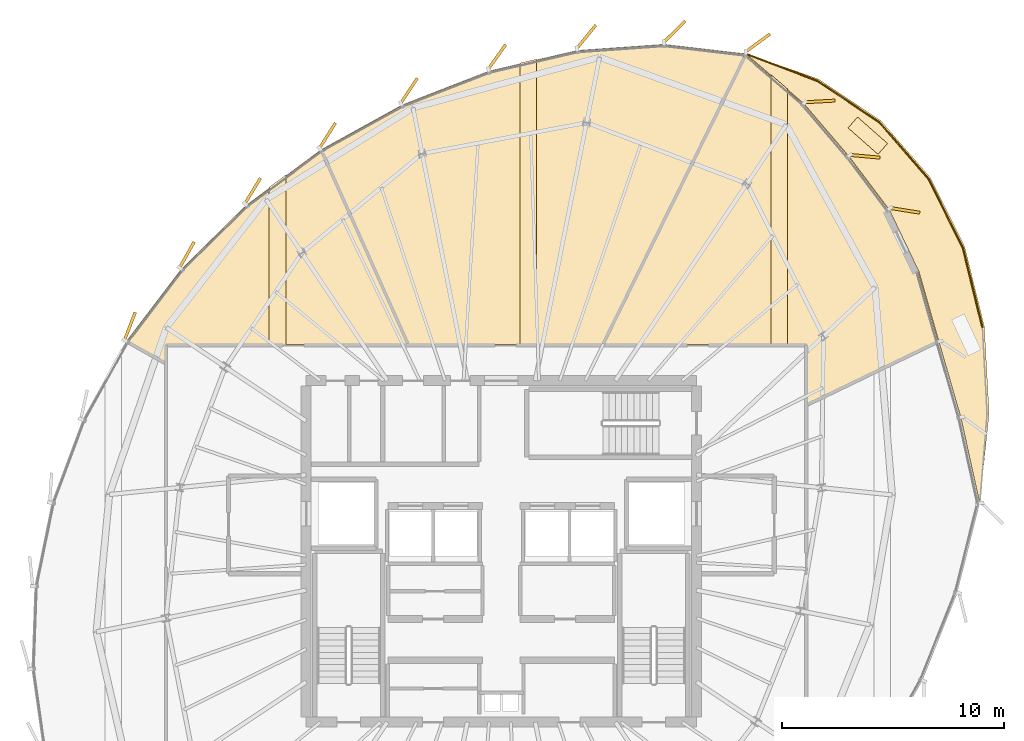
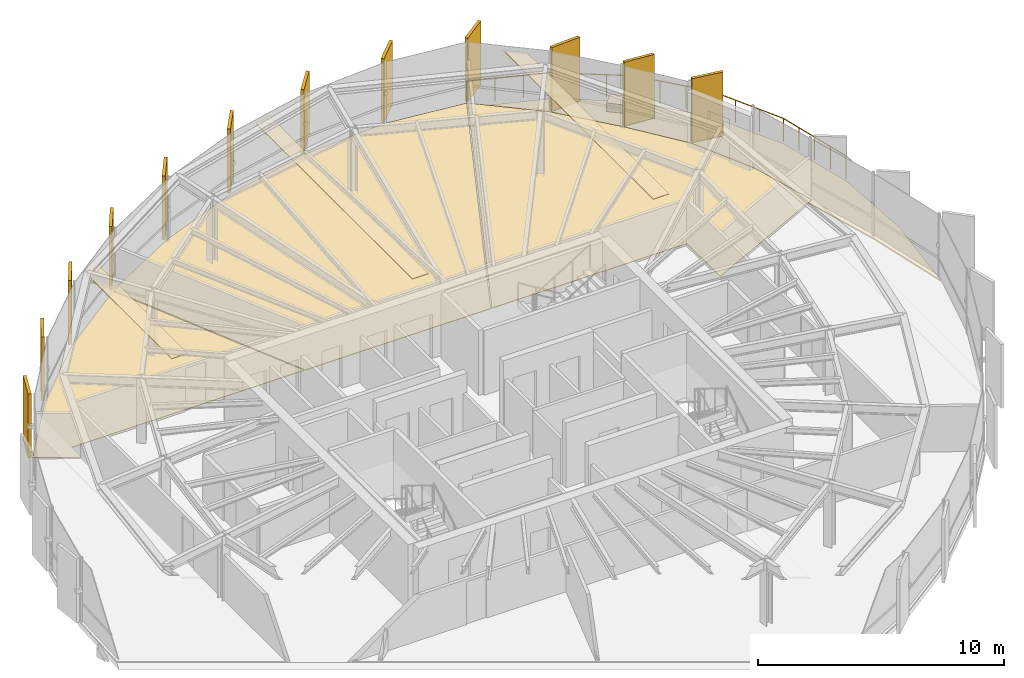
# One storey, part 34 of 34: 20 coverings, 5 railings.
"""IFC4 building model written with IfcOpenShell, lengths in metres."""

from ifc_helpers import new_model, si_unit, direction, frame, origin, origin_2d, place, context, subcontext, project, spatial, polyline, rectangle, circle, outline, extrude, source, transform, mapped, material, layer, layer_set, type_object, element, save


model = new_model("IFC4")

# Units and contexts
model_context = context("Model", 3, precision=1e-05, world=origin(), true_north=direction((0.0, 1.0)))
body_context = subcontext(model_context, "Body", "Model", "MODEL_VIEW")
ifc_project = project(units=[si_unit("LENGTHUNIT", "METRE"), si_unit("AREAUNIT", "SQUARE_METRE"), si_unit("VOLUMEUNIT", "CUBIC_METRE"), si_unit("PLANEANGLEUNIT", "RADIAN"), si_unit("MASSUNIT", "GRAM", prefix="KILO"), si_unit("THERMODYNAMICTEMPERATUREUNIT", "KELVIN")], contexts=[model_context])

# Site, building, storey
site_placement = place(None, origin())
site = spatial("IfcSite", under=ifc_project, at=site_placement, CompositionType="ELEMENT")
building_placement = place(site_placement, origin())
building = spatial("IfcBuilding", under=site, at=building_placement, Name="Kethvar Cultural Tower", CompositionType="ELEMENT")
storey_placement = place(building_placement, frame((0.0, 0.0, 231.85009765625)))
storey = spatial("IfcBuildingStorey", under=building, at=storey_placement, Name="L60", CompositionType="ELEMENT", Elevation=231.85009765625)

# Coverings
ifc_material_1 = material(Name="Acoustic Mineral Fibre Ceiling")
ifc_layer_1 = layer(ifc_material_1, 0.0400390625, Name="Acoustic Mineral Fibre Ceiling")
ifc_layer_set_1 = layer_set([ifc_layer_1], Name="Acoustic Mineral Fibre Ceiling (40 mm)")
covering_type_1 = type_object("IfcCoveringType", Name="CV-ACOUSTIC-CEIL", PredefinedType="CEILING", material=ifc_layer_set_1)
covering_1_placement = place(storey_placement, frame((0.0, 0.0, 2.77978515625)))
element("IfcCovering", 1, at=covering_1_placement, inside=storey, type_object=covering_type_1, Name="L60 Room 04 Acoustic Ceiling Panel", PredefinedType="CEILING", context=body_context, shape_type="SweptSolid", body=[
    extrude(outline(polyline([(58.954345703125, 37.080078125), (58.954345703125, 49.296142578125), (59.704345703125, 48.65087890625), (59.704345703125, 37.080078125), (58.954345703125, 37.080078125)])), origin(), (0.0, 0.0, 1.0), 0.0400390625),
])
covering_2_placement = place(storey_placement, frame((0.0, 0.0, 2.77978515625)))
element("IfcCovering", 2, at=covering_2_placement, inside=storey, type_object=covering_type_1, Name="L60 Room 05 Acoustic Ceiling Panel", PredefinedType="CEILING", context=body_context, shape_type="SweptSolid", body=[
    extrude(outline(polyline([(48.398681640625, 49.99755859375), (48.398681640625, 37.080078125), (47.648681640625, 37.080078125), (47.648681640625, 49.822265625), (48.398681640625, 49.99755859375)])), origin(), (0.0, 0.0, 1.0), 0.0400390625),
])
covering_3_placement = place(storey_placement, frame((0.0, 0.0, 2.77978515625)))
element("IfcCovering", 3, at=covering_3_placement, inside=storey, type_object=covering_type_1, Name="L60 Room 06 Acoustic Ceiling Panel", PredefinedType="CEILING", context=body_context, shape_type="SweptSolid", body=[
    extrude(outline(polyline([(37.0859375, 44.77685546875), (37.0859375, 37.080078125), (36.3359375, 37.080078125), (36.3359375, 44.2197265625), (37.0859375, 44.77685546875)])), origin(), (0.0, 0.0, 1.0), 0.0400390625),
])
ifc_material_2 = material(Name="Architectural Oak Timber", Category="wood")
ifc_layer_2 = layer(ifc_material_2, 0.02490234375, Name="Architectural Oak Timber", Category="wood")
ifc_layer_set_2 = layer_set([ifc_layer_2], Name="Architectural Oak Timber (25 mm)")
covering_type_2 = type_object("IfcCoveringType", Name="CV-OAK-FLOOR", PredefinedType="FLOORING", material=ifc_layer_set_2)
covering_4_placement = place(storey_placement, origin())
element("IfcCovering", 4, at=covering_4_placement, inside=storey, type_object=covering_type_2, Name="L60 Room 04 Floor Finish", PredefinedType="FLOORING", context=body_context, shape_type="SweptSolid", body=[
    extrude(outline(polyline([(65.611083984375, 40.4091796875), (66.5068359375, 37.268310546875), (60.570068359375, 34.422607421875), (60.555908203125, 37.119140625), (51.39453125, 37.1201171875), (57.82080078125, 50.218505859375), (60.427978515625, 47.975830078125), (62.4736328125, 45.583251953125), (64.27734375, 43.19482421875), (65.611083984375, 40.4091796875)])), origin(), (0.0, 0.0, 1.0), 0.02490234375),
])
covering_5_placement = place(storey_placement, origin())
element("IfcCovering", 5, at=covering_5_placement, inside=storey, type_object=covering_type_2, Name="L60 Room 05 Floor Finish", PredefinedType="FLOORING", context=body_context, shape_type="SweptSolid", body=[
    extrude(outline(polyline([(42.34765625, 47.935302734375), (46.251953125, 49.455078125), (50.23291015625, 50.384765625), (54.136962890625, 50.65966796875), (57.78369140625, 50.23388671875), (51.35009765625, 37.1201171875), (42.628173828125, 37.1201171875), (38.67529296875, 45.90478515625), (42.34765625, 47.935302734375)])), origin(), (0.0, 0.0, 1.0), 0.02490234375),
])
covering_6_placement = place(storey_placement, origin())
element("IfcCovering", 6, at=covering_6_placement, inside=storey, type_object=covering_type_2, Name="L60 Room 06 Floor Finish", PredefinedType="FLOORING", context=body_context, shape_type="SweptSolid", body=[
    extrude(outline(polyline([(32.372802734375, 40.519287109375), (35.30712890625, 43.40576171875), (38.6416015625, 45.88232421875), (42.584228515625, 37.1201171875), (31.677978515625, 37.119873046875), (31.659912109375, 36.3056640625), (29.909912109375, 37.2861328125), (32.372802734375, 40.519287109375)])), origin(), (0.0, 0.0, 1.0), 0.02490234375),
])
ifc_material_3 = material(Name="Insulated Waterproofing Membrane")
ifc_layer_3 = layer(ifc_material_3, 0.06005859375, Name="Insulated Waterproofing Membrane")
ifc_layer_set_3 = layer_set([ifc_layer_3], Name="Insulated Waterproofing Membrane (60 mm)")
covering_type_3 = type_object("IfcCoveringType", Name="CV-ROOF-MEMB", PredefinedType="ROOFING", material=ifc_layer_set_3)
covering_7_placement = place(storey_placement, frame((0.0, 0.0, -0.275146484375)))
element("IfcCovering", 7, at=covering_7_placement, inside=storey, type_object=covering_type_3, Name="L60 Terrace Waterproofing", PredefinedType="ROOFING", context=body_context, shape_type="SweptSolid", body=[
    extrude(outline(polyline([(68.372802734375, 29.966796875), (68.79638671875, 34.035888671875), (68.579833984375, 37.947265625), (67.693115234375, 41.541015625), (66.131103515625, 44.67138671875), (63.9189453125, 47.217529296875), (61.115478515625, 49.09326171875), (57.814208984375, 50.25048828125), (60.442138671875, 47.989990234375), (62.4892578125, 45.595703125), (64.294677734375, 43.205078125), (65.6298828125, 40.416259765625), (66.53076171875, 37.2578125), (67.5185546875, 33.8427734375), (68.372802734375, 29.966796875)])), origin(), (0.0, 0.0, 1.0), 0.06005859375),
])

# Railings
ifc_material_4 = material(Name="Steel S355J2", Category="steel")
railing_type = type_object("IfcRailingType", Name="RL-EXT-GUARD-1150", PredefinedType="BALUSTRADE", material=ifc_material_4)
railing_1_placement = place(storey_placement, frame((68.4892578125, 37.905029296875, 0.0)))
element("IfcRailing", 8, at=railing_1_placement, inside=storey, type_object=railing_type, Name="L60 Spiralling Terrace Balustrade 03", PredefinedType="BALUSTRADE", context=body_context, shape_type="SweptSolid", body=[
    extrude(circle(Radius=0.02392578125, at=origin_2d()), frame((0.0, 0.0, 1.1259765625), z_axis=(-0.238545548795, 0.971131309942, 0.0), x_axis=(-0.971131309942, -0.238545548795, 0.0)), (0.0, 0.0, 1.0), 3.6875),
    extrude(circle(Radius=0.02099609375, at=origin_2d()), origin(), (0.0, 0.0, 1.0), 1.101806640625),
    extrude(circle(Radius=0.02099609375, at=origin_2d()), frame((-0.219970703125, 0.895263671875, 0.0)), (0.0, 0.0, 1.0), 1.101806640625),
    extrude(circle(Radius=0.02099609375, at=origin_2d()), frame((-0.43994140625, 1.79052734375, 0.0)), (0.0, 0.0, 1.0), 1.101806640625),
    extrude(circle(Radius=0.02099609375, at=origin_2d()), frame((-0.65966796875, 2.685791015625, 0.0)), (0.0, 0.0, 1.0), 1.101806640625),
    extrude(circle(Radius=0.02099609375, at=origin_2d()), frame((-0.879638671875, 3.5810546875, 0.0)), (0.0, 0.0, 1.0), 1.101806640625),
])
railing_2_placement = place(storey_placement, frame((67.609619140625, 41.486083984375, 0.0)))
element("IfcRailing", 9, at=railing_2_placement, inside=storey, type_object=railing_type, Name="L60 Spiralling Terrace Balustrade 04", PredefinedType="BALUSTRADE", context=body_context, shape_type="SweptSolid", body=[
    extrude(circle(Radius=0.02392578125, at=origin_2d()), frame((0.0, 0.0, 1.1259765625), z_axis=(-0.445812003466, 0.895126615382, 0.0), x_axis=(-0.895126615382, -0.445812003466, 0.0)), (0.0, 0.0, 1.0), 3.485107421875),
    extrude(circle(Radius=0.02099609375, at=origin_2d()), origin(), (0.0, 0.0, 1.0), 1.101806640625),
    extrude(circle(Radius=0.02099609375, at=origin_2d()), frame((-0.517822265625, 1.039794921875, 0.0)), (0.0, 0.0, 1.0), 1.101806640625),
    extrude(circle(Radius=0.02099609375, at=origin_2d()), frame((-1.035888671875, 2.079833984375, 0.0)), (0.0, 0.0, 1.0), 1.101806640625),
    extrude(circle(Radius=0.02099609375, at=origin_2d()), frame((-1.5537109375, 3.11962890625, 0.0)), (0.0, 0.0, 1.0), 1.101806640625),
])
railing_3_placement = place(storey_placement, frame((66.055908203125, 44.605712890625, 0.0)))
element("IfcRailing", 10, at=railing_3_placement, inside=storey, type_object=railing_type, Name="L60 Spiralling Terrace Balustrade 05", PredefinedType="BALUSTRADE", context=body_context, shape_type="SweptSolid", body=[
    extrude(circle(Radius=0.02392578125, at=origin_2d()), frame((0.0, 0.0, 1.1259765625), z_axis=(-0.655696465971, 0.755024598615, 0.0), x_axis=(-0.755024598615, -0.655696465971, 0.0)), (0.0, 0.0, 1.0), 3.35986328125),
    extrude(circle(Radius=0.02099609375, at=origin_2d()), origin(), (0.0, 0.0, 1.0), 1.101806640625),
    extrude(circle(Radius=0.02099609375, at=origin_2d()), frame((-0.734375, 0.845703125, 0.0)), (0.0, 0.0, 1.0), 1.101806640625),
    extrude(circle(Radius=0.02099609375, at=origin_2d()), frame((-1.46875, 1.691162109375, 0.0)), (0.0, 0.0, 1.0), 1.101806640625),
    extrude(circle(Radius=0.02099609375, at=origin_2d()), frame((-2.203125, 2.536865234375, 0.0)), (0.0, 0.0, 1.0), 1.101806640625),
])
railing_4_placement = place(storey_placement, frame((63.852783203125, 47.142578125, 0.0)))
element("IfcRailing", 11, at=railing_4_placement, inside=storey, type_object=railing_type, Name="L60 Spiralling Terrace Balustrade 06", PredefinedType="BALUSTRADE", context=body_context, shape_type="SweptSolid", body=[
    extrude(circle(Radius=0.02392578125, at=origin_2d()), frame((0.0, 0.0, 1.1259765625), z_axis=(-0.831266939688, 0.555873434319, 0.0), x_axis=(-0.555873434319, -0.831266939688, 0.0)), (0.0, 0.0, 1.0), 3.35986328125),
    extrude(circle(Radius=0.02099609375, at=origin_2d()), origin(), (0.0, 0.0, 1.0), 1.101806640625),
    extrude(circle(Radius=0.02099609375, at=origin_2d()), frame((-0.930908203125, 0.62255859375, 0.0)), (0.0, 0.0, 1.0), 1.101806640625),
    extrude(circle(Radius=0.02099609375, at=origin_2d()), frame((-1.862060546875, 1.2451171875, 0.0)), (0.0, 0.0, 1.0), 1.101806640625),
    extrude(circle(Radius=0.02099609375, at=origin_2d()), frame((-2.79296875, 1.86767578125, 0.0)), (0.0, 0.0, 1.0), 1.101806640625),
])
railing_5_placement = place(storey_placement, frame((61.059814453125, 49.01025390625, 0.0)))
element("IfcRailing", 12, at=railing_5_placement, inside=storey, type_object=railing_type, Name="L60 Spiralling Terrace Balustrade 07", PredefinedType="BALUSTRADE", context=body_context, shape_type="SweptSolid", body=[
    extrude(circle(Radius=0.02392578125, at=origin_2d()), frame((0.0, 0.0, 1.1259765625), z_axis=(-0.934122136223, 0.356953546864, 0.0), x_axis=(-0.356953546864, -0.934122136223, 0.0)), (0.0, 0.0, 1.0), 3.474609375),
    extrude(circle(Radius=0.02099609375, at=origin_2d()), origin(), (0.0, 0.0, 1.0), 1.101806640625),
    extrude(circle(Radius=0.02099609375, at=origin_2d()), frame((-1.081787109375, 0.413330078125, 0.0)), (0.0, 0.0, 1.0), 1.101806640625),
    extrude(circle(Radius=0.02099609375, at=origin_2d()), frame((-2.163818359375, 0.826904296875, 0.0)), (0.0, 0.0, 1.0), 1.101806640625),
    extrude(circle(Radius=0.02099609375, at=origin_2d()), frame((-3.24560546875, 1.240234375, 0.0)), (0.0, 0.0, 1.0), 1.101806640625),
])

# Coverings
ifc_material_5 = material(Name="Extruded Architectural Terracotta", Category="masonry")
ifc_layer_4 = layer(ifc_material_5, 0.419921875, Name="Extruded Architectural Terracotta", Category="masonry")
ifc_layer_set_4 = layer_set([ifc_layer_4], Name="Extruded Architectural Terracotta (420 mm)")
covering_type_4 = type_object("IfcCoveringType", Name="Terracotta Terrace Planter PLANTER-01", PredefinedType="USERDEFINED", material=ifc_layer_set_4)
shared_shape_1 = source(origin(), body_context, "Body", "SweptSolid", [
    extrude(rectangle(XDim=1.800048828125, YDim=0.64990234375, at=origin_2d()), origin(), (0.0, 0.0, 1.0), 0.419921875),
])
covering_8_placement = place(storey_placement, frame((63.32373046875, 46.54248046875, 0.0), z_axis=(0.0, 0.0, 1.0), x_axis=(-0.75011106963, 0.661311865324, 0.0)))
element("IfcCovering", 13, at=covering_8_placement, inside=storey, type_object=covering_type_4, Name="L60 Sky Terrace Planter Box B", ObjectType="PLANTER", PredefinedType="USERDEFINED", context=body_context, shape_type="MappedRepresentation", body=[
    mapped(shared_shape_1, transform((0.0, 0.0, 0.0), scale=1.0)),
])
ifc_layer_5 = layer(ifc_material_5, 0.135009765625, Name="Extruded Architectural Terracotta", Category="masonry")
ifc_layer_set_5 = layer_set([ifc_layer_5], Name="Extruded Architectural Terracotta (135 mm)")
covering_type_5 = type_object("IfcCoveringType", Name="Terracotta Facade Fin FIN-03", PredefinedType="CLADDING", material=ifc_layer_set_5)
shared_shape_2 = source(origin(), body_context, "Body", "SweptSolid", [
    extrude(rectangle(XDim=1.35009765625, YDim=0.135009765625, at=origin_2d()), origin(), (0.0, 0.0, 1.0), 3.169921875),
])
for number, where, z_axis, x_axis, name in (
    (14, (63.198974609375, 45.613525390625, 0.02001953125), (0.0, 0.0, 1.0), (0.995852701205, -0.090980203904, 0.0), "L60 Vertical Terracotta Fin 1.1"),
    (15, (61.168212890625, 48.08837890625, 0.02001953125), (0.0, 0.0, 1.0), (0.998440764182, 0.055821504993, 0.0), "L60 Vertical Terracotta Fin 1.2"),
    (16, (58.368408203125, 50.728271484375, 0.02001953125), (0.0, 0.0, 1.0), (0.807578350374, 0.589760297076, 0.0), "L60 Vertical Terracotta Fin 1.3"),
    (17, (54.610595703125, 51.2353515625, 0.02001953125), (0.0, 0.0, 1.0), (0.709201693677, 0.705005643726, 0.0), "L60 Vertical Terracotta Fin 1.4"),
    (18, (50.6376953125, 51.006103515625, 0.02001953125), (0.0, 0.0, 1.0), (0.630946660302, 0.775826212405, 0.0), "L60 Vertical Terracotta Fin 1.5"),
    (19, (46.607421875, 50.099365234375, 0.02001953125), (0.0, 0.0, 1.0), (0.578284873795, 0.815834912675, 0.0), "L60 Vertical Terracotta Fin 1.6"),
    (20, (42.639892578125, 48.5703125, 0.02001953125), (0.0, 0.0, 1.0), (0.54946037043, 0.835519779135, 0.0), "L60 Vertical Terracotta Fin 2.1"),
    (21, (38.962158203125, 46.54833984375, 0.02001953125), (0.0, 0.0, 1.0), (0.533762115138, 0.845634675521, 0.0), "L60 Vertical Terracotta Fin 2.2"),
    (22, (35.589599609375, 44.05419921875, 0.02001953125), (0.0, 0.0, 1.0), (0.52056264229, 0.853823480265, 0.0), "L60 Vertical Terracotta Fin 2.3"),
    (23, (32.624267578125, 41.169677734375, 0.02001953125), (0.0, 0.0, 1.0), (0.489230239495, 0.8721546725, 0.0), "L60 Vertical Terracotta Fin 2.4"),
    (24, (30.05224609375, 37.94873046875, 0.02001953125), (0.0, 0.0, 1.0), (0.358530884609, 0.933517865272, 0.0), "L60 Vertical Terracotta Fin 2.5"),
    (25, (65.003662109375, 43.17626953125, 0.02001953125), (0.0, 0.0, 1.0), (0.987661022587, -0.156606846792, 0.0), "L60 Vertical Terracotta Fin 7.1"),
):
    element("IfcCovering", number, at=place(storey_placement, frame(where, z_axis=z_axis, x_axis=x_axis)), inside=storey, type_object=covering_type_5, Name=name, PredefinedType="CLADDING", context=body_context, shape_type="MappedRepresentation", body=[
        mapped(shared_shape_2, transform((0.0, 0.0, 0.0), scale=1.0)),
    ])

save(model, "model.ifc")
